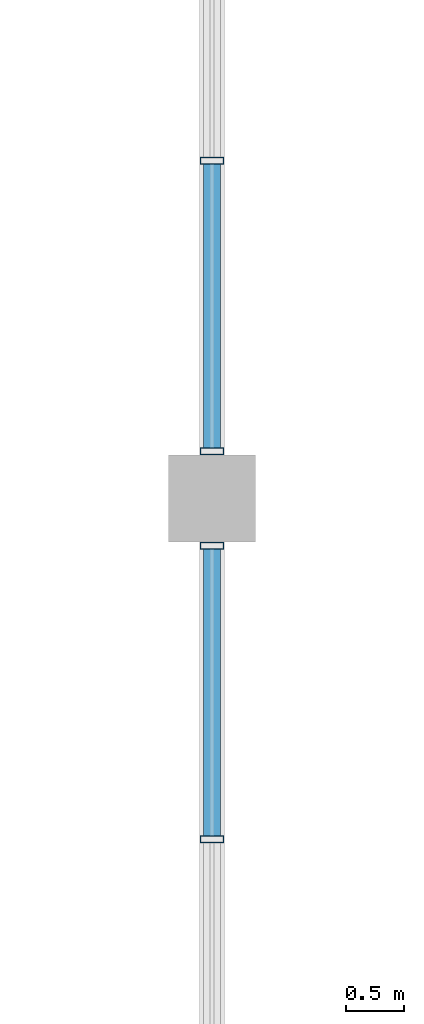
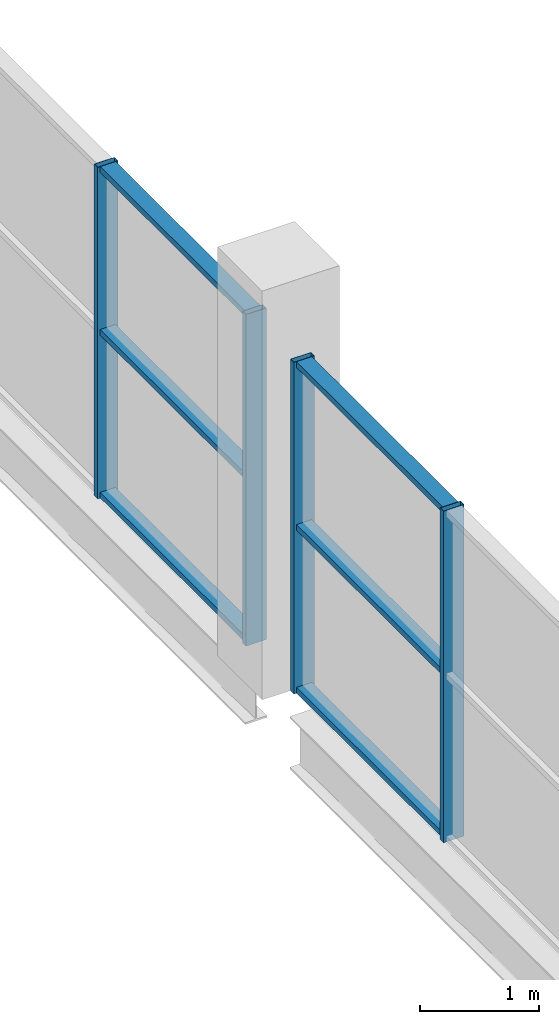
# One storey, part 47 of 93: 10 members, 2 elements without a shape of their own.
"""IFC4 building model written with IfcOpenShell, lengths in metres."""

from ifc_helpers import new_model, si_unit, direction, frame, origin, origin_2d, place, context, subcontext, project, spatial, hollow_rectangle, extrude, material, material_profile, profile_set, type_object, element, aggregate, save


model = new_model("IFC4")

# Units and contexts
model_context = context("Model", 3, precision=1e-05, world=origin(), true_north=direction((0.0, 1.0)))
body_context = subcontext(model_context, "Body", "Model", "MODEL_VIEW")
ifc_project = project(units=[si_unit("LENGTHUNIT", "METRE"), si_unit("AREAUNIT", "SQUARE_METRE"), si_unit("VOLUMEUNIT", "CUBIC_METRE"), si_unit("PLANEANGLEUNIT", "RADIAN"), si_unit("MASSUNIT", "GRAM", prefix="KILO"), si_unit("THERMODYNAMICTEMPERATUREUNIT", "KELVIN")], contexts=[model_context])

# Site, building, storey
site_placement = place(None, origin())
site = spatial("IfcSite", under=ifc_project, at=site_placement, CompositionType="ELEMENT")
building_placement = place(site_placement, origin())
building = spatial("IfcBuilding", under=site, at=building_placement, Name="Nduvali Passage Aquatics Centre", CompositionType="ELEMENT")
storey_placement = place(building_placement, frame((0.0, 0.0, 9.0)))
storey = spatial("IfcBuildingStorey", under=building, at=storey_placement, Name="L02", CompositionType="ELEMENT", Elevation=9.0)

# Curtain wall, members
ifc_material = material(Name="Aluminium EN AW-6063 T6", Category="aluminium")
curtain_wall_type = type_object("IfcCurtainWallType", Name="ENV-CW-CLER", PredefinedType="NOTDEFINED", material=ifc_material)
curtain_wall_1_placement = place(storey_placement, origin())
curtain_wall_1 = element("IfcCurtainWall", 1, at=curtain_wall_1_placement, inside=storey, type_object=curtain_wall_type, Name="L02 East Passage Pool Hall Mid Clerestory 039", PredefinedType="NOTDEFINED")
ifc_material_profile_1 = material_profile(ifc_material, hollow_rectangle(XDim=0.06005859375, YDim=0.199951171875, WallThickness=0.00390625, at=origin_2d()), Name="ALU MULLION 60x200x4")
ifc_profile_set_1 = profile_set([ifc_material_profile_1], Name="Aluminium EN AW-6063 T6")
member_type_1 = type_object("IfcMemberType", Name="ENV-MEM-MUL80", PredefinedType="MULLION", material=ifc_profile_set_1)
member_1_placement = place(storey_placement, frame((126.0, 81.074951171875, 0.0), z_axis=(0.0, 0.0, 1.0), x_axis=(0.0, 1.0, 0.0)))
member_1 = element("IfcMember", 2, at=member_1_placement, type_object=member_type_1, Name="East Passage Pool Hall Mid Clerestory Mullion 3", PredefinedType="MULLION", context=body_context, shape_type="SweptSolid", body=[
    extrude(hollow_rectangle(XDim=0.06005859375, YDim=0.199951171875, WallThickness=0.00390625, at=origin_2d()), origin(), (0.0, 0.0, 1.0), 3.406494140625),
])
member_2_placement = place(storey_placement, frame((126.0, 83.594970703125, 0.0), z_axis=(0.0, 0.0, 1.0), x_axis=(0.0, 1.0, 0.0)))
member_2 = element("IfcMember", 3, at=member_2_placement, type_object=member_type_1, Name="East Passage Pool Hall Mid Clerestory Mullion 4", PredefinedType="MULLION", context=body_context, shape_type="SweptSolid", body=[
    extrude(hollow_rectangle(XDim=0.06005859375, YDim=0.199951171875, WallThickness=0.00390625, at=origin_2d()), origin(), (0.0, 0.0, 1.0), 3.406494140625),
])

curtain_wall_2_placement = place(storey_placement, origin())
curtain_wall_2 = element("IfcCurtainWall", 4, at=curtain_wall_2_placement, inside=storey, type_object=curtain_wall_type, Name="L02 East Passage Pool Hall Mid Clerestory 042", PredefinedType="NOTDEFINED")
member_3_placement = place(storey_placement, frame((126.0, 84.405029296875, 0.0), z_axis=(0.0, 0.0, 1.0), x_axis=(0.0, 1.0, 0.0)))
member_3 = element("IfcMember", 5, at=member_3_placement, type_object=member_type_1, Name="East Passage Pool Hall Mid Clerestory Mullion 1", PredefinedType="MULLION", context=body_context, shape_type="SweptSolid", body=[
    extrude(hollow_rectangle(XDim=0.06005859375, YDim=0.199951171875, WallThickness=0.00390625, at=origin_2d()), origin(), (0.0, 0.0, 1.0), 3.406494140625),
])
member_4_placement = place(storey_placement, frame((126.0, 86.89990234375, 0.0), z_axis=(0.0, 0.0, 1.0), x_axis=(0.0, 1.0, 0.0)))
member_4 = element("IfcMember", 6, at=member_4_placement, type_object=member_type_1, Name="East Passage Pool Hall Mid Clerestory Mullion 2", PredefinedType="MULLION", context=body_context, shape_type="SweptSolid", body=[
    extrude(hollow_rectangle(XDim=0.06005859375, YDim=0.199951171875, WallThickness=0.00390625, at=origin_2d()), origin(), (0.0, 0.0, 1.0), 3.406494140625),
])

# Member
ifc_material_profile_2 = material_profile(ifc_material, hollow_rectangle(XDim=0.14990234375, YDim=0.06005859375, WallThickness=0.00390625, at=origin_2d()), Name="ALU TRANSOM 150x60x4")
ifc_profile_set_2 = profile_set([ifc_material_profile_2], Name="Aluminium EN AW-6063 T6")
member_type_2 = type_object("IfcMemberType", Name="ENV-MEM-TRN80", PredefinedType="USERDEFINED", material=ifc_profile_set_2)
member_5_placement = place(storey_placement, frame((126.0, 81.10498046875, 0.030029296875), z_axis=(0.0, 1.0, 0.0), x_axis=(-1.0, 0.0, 0.0)))
member_5 = element("IfcMember", 7, at=member_5_placement, type_object=member_type_2, Name="East Passage Pool Hall Mid Clerestory Transom B3-R0", ObjectType="TRANSOM", PredefinedType="USERDEFINED", context=body_context, shape_type="SweptSolid", body=[
    extrude(hollow_rectangle(XDim=0.14990234375, YDim=0.06005859375, WallThickness=0.00390625, at=origin_2d()), origin(), (0.0, 0.0, 1.0), 2.4599609375),
])

member_6_placement = place(storey_placement, frame((126.0, 81.10498046875, 1.703125), z_axis=(0.0, 1.0, 0.0), x_axis=(-1.0, 0.0, 0.0)))
member_6 = element("IfcMember", 8, at=member_6_placement, type_object=member_type_2, Name="East Passage Pool Hall Mid Clerestory Transom B3-R1", ObjectType="TRANSOM", PredefinedType="USERDEFINED", context=body_context, shape_type="SweptSolid", body=[
    extrude(hollow_rectangle(XDim=0.14990234375, YDim=0.06005859375, WallThickness=0.00390625, at=origin_2d()), origin(), (0.0, 0.0, 1.0), 2.4599609375),
])

member_7_placement = place(storey_placement, frame((126.0, 81.10498046875, 3.37646484375), z_axis=(0.0, 1.0, 0.0), x_axis=(-1.0, 0.0, 0.0)))
member_7 = element("IfcMember", 9, at=member_7_placement, type_object=member_type_2, Name="East Passage Pool Hall Mid Clerestory Transom B3-R2", ObjectType="TRANSOM", PredefinedType="USERDEFINED", context=body_context, shape_type="SweptSolid", body=[
    extrude(hollow_rectangle(XDim=0.14990234375, YDim=0.06005859375, WallThickness=0.00390625, at=origin_2d()), origin(), (0.0, 0.0, 1.0), 2.4599609375),
])

aggregate(curtain_wall_1, [member_1, member_2, member_5, member_6, member_7])

member_8_placement = place(storey_placement, frame((126.0, 84.43505859375, 0.030029296875), z_axis=(0.0, 1.0, 0.0), x_axis=(-1.0, 0.0, 0.0)))
member_8 = element("IfcMember", 10, at=member_8_placement, type_object=member_type_2, Name="East Passage Pool Hall Mid Clerestory Transom B1-R0", ObjectType="TRANSOM", PredefinedType="USERDEFINED", context=body_context, shape_type="SweptSolid", body=[
    extrude(hollow_rectangle(XDim=0.14990234375, YDim=0.06005859375, WallThickness=0.00390625, at=origin_2d()), origin(), (0.0, 0.0, 1.0), 2.43505859375),
])

member_9_placement = place(storey_placement, frame((126.0, 84.43505859375, 1.703125), z_axis=(0.0, 1.0, 0.0), x_axis=(-1.0, 0.0, 0.0)))
member_9 = element("IfcMember", 11, at=member_9_placement, type_object=member_type_2, Name="East Passage Pool Hall Mid Clerestory Transom B1-R1", ObjectType="TRANSOM", PredefinedType="USERDEFINED", context=body_context, shape_type="SweptSolid", body=[
    extrude(hollow_rectangle(XDim=0.14990234375, YDim=0.06005859375, WallThickness=0.00390625, at=origin_2d()), origin(), (0.0, 0.0, 1.0), 2.43505859375),
])

member_10_placement = place(storey_placement, frame((126.0, 84.43505859375, 3.37646484375), z_axis=(0.0, 1.0, 0.0), x_axis=(-1.0, 0.0, 0.0)))
member_10 = element("IfcMember", 12, at=member_10_placement, type_object=member_type_2, Name="East Passage Pool Hall Mid Clerestory Transom B1-R2", ObjectType="TRANSOM", PredefinedType="USERDEFINED", context=body_context, shape_type="SweptSolid", body=[
    extrude(hollow_rectangle(XDim=0.14990234375, YDim=0.06005859375, WallThickness=0.00390625, at=origin_2d()), origin(), (0.0, 0.0, 1.0), 2.43505859375),
])

aggregate(curtain_wall_2, [member_3, member_4, member_8, member_9, member_10])

save(model, "model.ifc")
